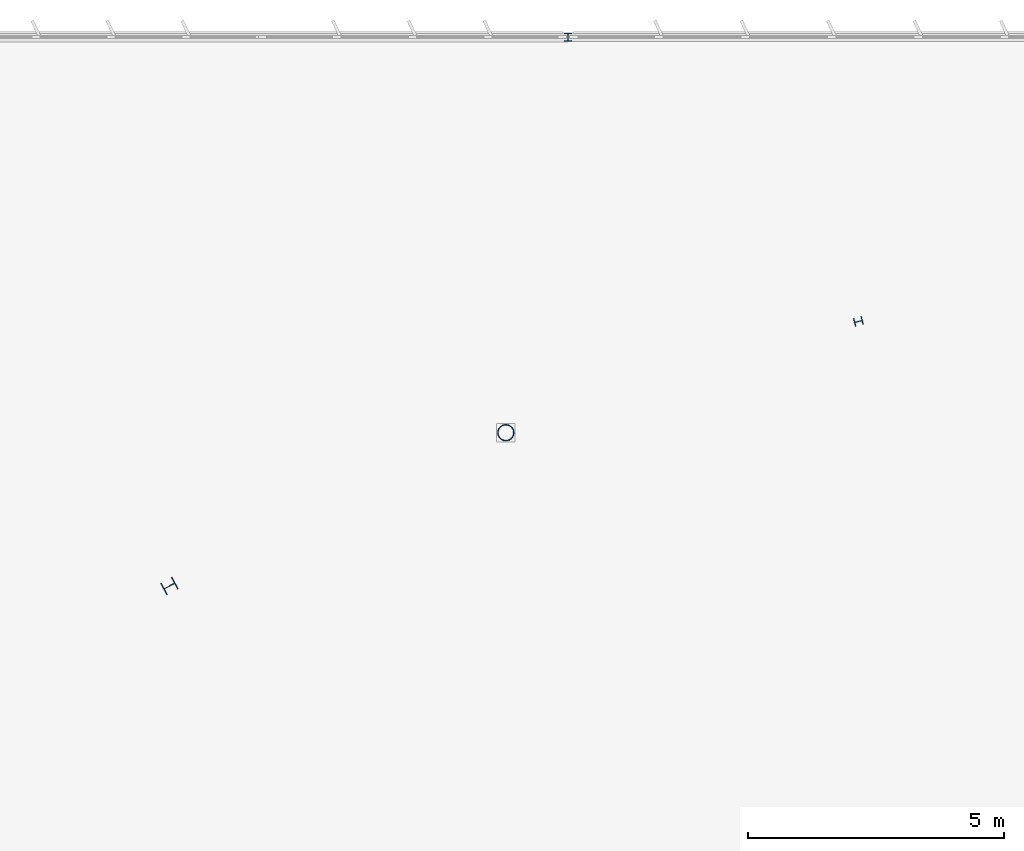
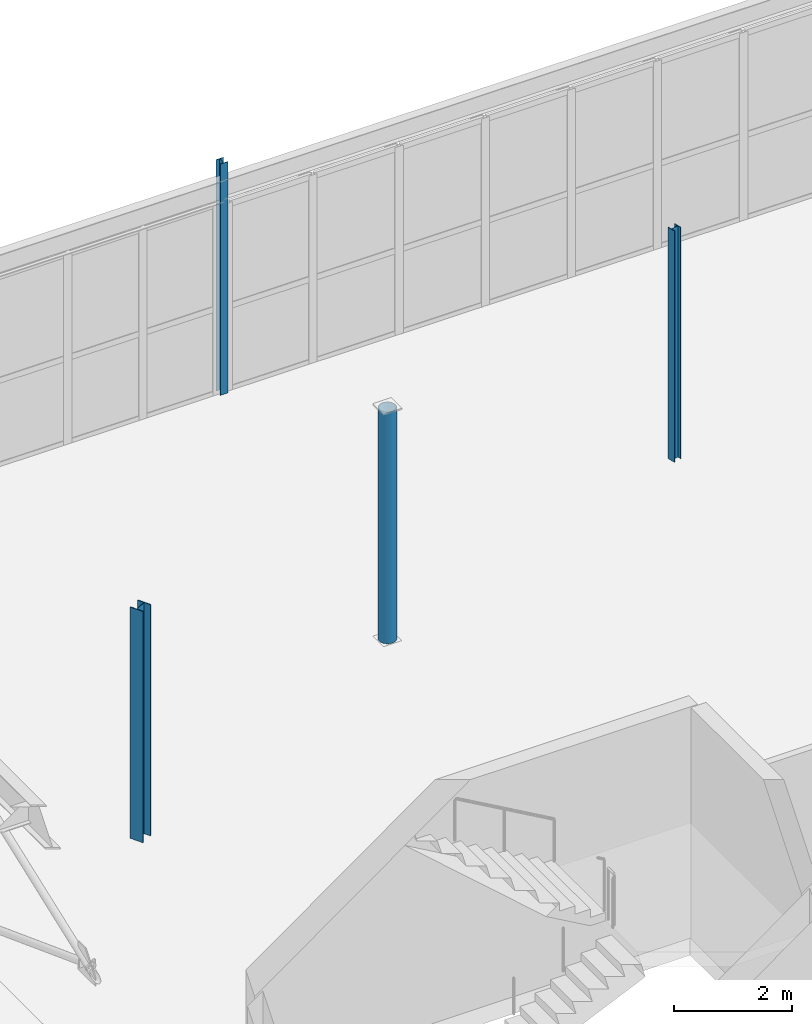
# One storey, part 32 of 226: 4 columns.
"""IFC4 building model written with IfcOpenShell, lengths in metres."""

from ifc_helpers import new_model, si_unit, direction, frame, origin, origin_2d, place, context, subcontext, project, spatial, hollow_circle, i_section, extrude, material, material_profile, profile_set, type_object, element, save


model = new_model("IFC4")

# Units and contexts
model_context = context("Model", 3, precision=1e-05, world=origin(), true_north=direction((0.0, 1.0)))
body_context = subcontext(model_context, "Body", "Model", "MODEL_VIEW")
ifc_project = project(units=[si_unit("LENGTHUNIT", "METRE"), si_unit("AREAUNIT", "SQUARE_METRE"), si_unit("VOLUMEUNIT", "CUBIC_METRE"), si_unit("PLANEANGLEUNIT", "RADIAN"), si_unit("MASSUNIT", "GRAM", prefix="KILO")], contexts=[model_context])

# Site, building, storey
site_placement = place(None, origin())
site = spatial("IfcSite", under=ifc_project, at=site_placement, CompositionType="ELEMENT")
building_placement = place(site_placement, origin())
building = spatial("IfcBuilding", under=site, at=building_placement, Name="Tarnwether General Hospital", CompositionType="ELEMENT")
storey_placement = place(building_placement, frame((0.0, 0.0, 4.800048828125)))
storey = spatial("IfcBuildingStorey", under=building, at=storey_placement, Name="L01", CompositionType="ELEMENT", Elevation=4.800048828125)

# Columns
ifc_material_1 = material(Name="Steel Grade 350 (350 MPa)", Category="steel")
ifc_material_profile_1 = material_profile(ifc_material_1, i_section(OverallWidth=0.25390625, OverallDepth=0.25390625, WebThickness=0.008544921875, FlangeThickness=0.01416015625, at=origin_2d()), Name="250UC72.9")
ifc_profile_set_1 = profile_set([ifc_material_profile_1], Name="Steel Grade 350 (350 MPa)")
column_type_1 = type_object("IfcColumnType", Name="COL-24", PredefinedType="COLUMN", material=ifc_profile_set_1)
column_1_placement = place(storey_placement, frame((64.20703125, 115.27001953125, 0.0), z_axis=(0.0, 0.0, 1.0), x_axis=(-0.469471562786, 0.882947592859, 0.0)))
element("IfcColumn", 1, at=column_1_placement, inside=storey, type_object=column_type_1, Name="Column COLG-L01-6421_11527", PredefinedType="COLUMN", context=body_context, shape_type="SweptSolid", body=[
    extrude(i_section(OverallWidth=0.25390625, OverallDepth=0.25390625, WebThickness=0.008544921875, FlangeThickness=0.01416015625, at=origin_2d()), origin(), (0.0, 0.0, 1.0), 4.800048828125),
])
ifc_material_2 = material(Name="Steel Grade C350L0 (350 MPa)", Category="steel")
ifc_material_profile_2 = material_profile(ifc_material_2, hollow_circle(Radius=0.161865234375, WallThickness=0.0126953125, at=origin_2d()), Name="CHS323.9x12.7")
ifc_profile_set_2 = profile_set([ifc_material_profile_2], Name="Steel Grade C350L0 (350 MPa)")
column_type_2 = type_object("IfcColumnType", Name="COL-26", PredefinedType="COLUMN", material=ifc_profile_set_2)
column_2_placement = place(storey_placement, frame((70.784912109375, 118.26806640625, 0.0), z_axis=(0.0, 0.0, 1.0), x_axis=(-0.358367949545, 0.933580426497, 0.0)))
element("IfcColumn", 2, at=column_2_placement, inside=storey, type_object=column_type_2, Name="Column COLG-L01-7078_11827", PredefinedType="COLUMN", context=body_context, shape_type="SweptSolid", body=[
    extrude(hollow_circle(Radius=0.161865234375, WallThickness=0.0126953125, at=origin_2d()), origin(), (0.0, 0.0, 1.0), 4.800048828125),
])
ifc_material_3 = material(Name="Steel Grade 350 (350 MPa)", Category="steel")
ifc_material_profile_3 = material_profile(ifc_material_3, i_section(OverallWidth=0.154052734375, OverallDepth=0.162109375, WebThickness=0.008056640625, FlangeThickness=0.011474609375, at=origin_2d()), Name="150UC37.2")
ifc_profile_set_3 = profile_set([ifc_material_profile_3], Name="Steel Grade 350 (350 MPa)")
column_type_3 = type_object("IfcColumnType", Name="COL-28", PredefinedType="COLUMN", material=ifc_profile_set_3)
column_3_placement = place(storey_placement, frame((77.677978515625, 120.44189453125, 0.0), z_axis=(0.0, 0.0, 1.0), x_axis=(-0.2419218956, 0.970295726276, 0.0)))
element("IfcColumn", 3, at=column_3_placement, inside=storey, type_object=column_type_3, Name="Column COLG-L01-7768_12044", PredefinedType="COLUMN", context=body_context, shape_type="SweptSolid", body=[
    extrude(i_section(OverallWidth=0.154052734375, OverallDepth=0.162109375, WebThickness=0.008056640625, FlangeThickness=0.011474609375, at=origin_2d()), origin(), (0.0, 0.0, 1.0), 4.800048828125),
])
ifc_material_4 = material(Name="Steel Grade 350 (350 MPa)", Category="steel")
ifc_material_profile_4 = material_profile(ifc_material_4, i_section(OverallWidth=0.152099609375, OverallDepth=0.152099609375, WebThickness=0.006103515625, FlangeThickness=0.0068359375, at=origin_2d()), Name="150UC23.4")
ifc_profile_set_4 = profile_set([ifc_material_profile_4], Name="Steel Grade 350 (350 MPa)")
column_type_4 = type_object("IfcColumnType", Name="COL-32", PredefinedType="COLUMN", material=ifc_profile_set_4)
column_4_placement = place(storey_placement, frame((72.0, 126.0, 0.0), z_axis=(0.0, 0.0, 1.0), x_axis=(1.0, 0.0, 0.0)))
element("IfcColumn", 4, at=column_4_placement, inside=storey, type_object=column_type_4, Name="Column COLG-L01-7200_12600", PredefinedType="COLUMN", context=body_context, shape_type="SweptSolid", body=[
    extrude(i_section(OverallWidth=0.152099609375, OverallDepth=0.152099609375, WebThickness=0.006103515625, FlangeThickness=0.0068359375, at=origin_2d()), origin(), (0.0, 0.0, 1.0), 4.800048828125),
])

save(model, "model.ifc")
